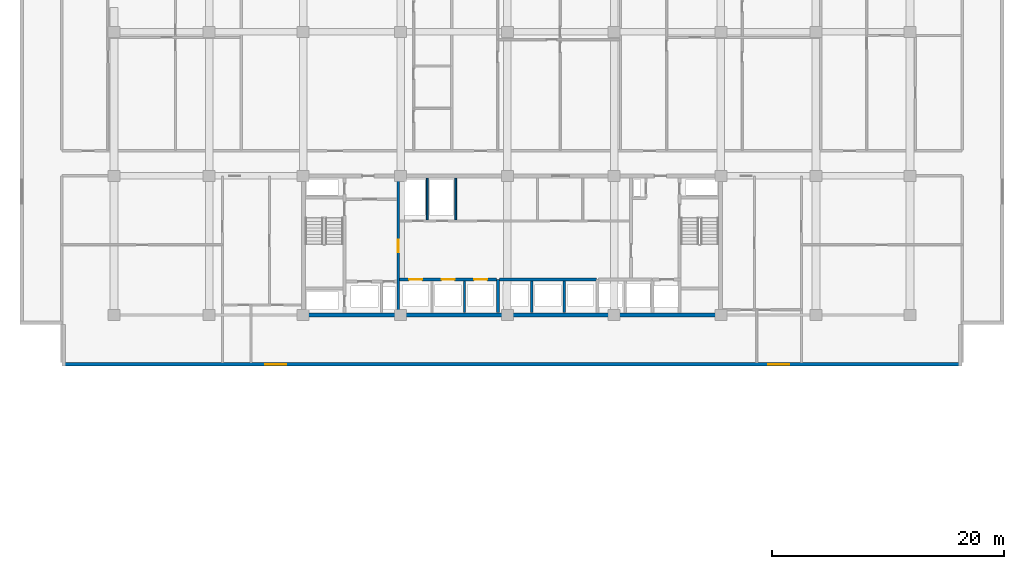
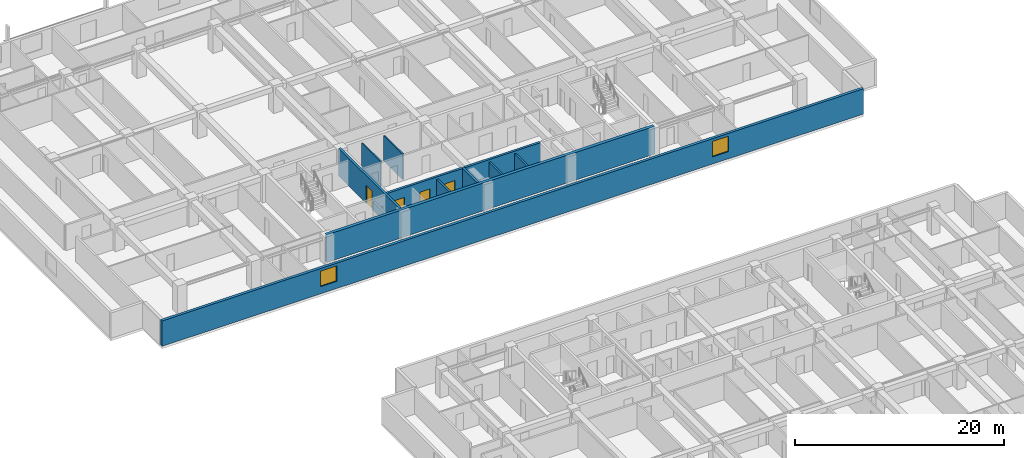
# One storey, part 10 of 23: 11 walls, 4 doors, 2 windows, 6 openings.
"""IFC4 building model written with IfcOpenShell, lengths in metres."""

from ifc_helpers import new_model, si_unit, direction, frame, frame_2d, origin, place, context, subcontext, project, spatial, rectangle, extrude, material, layer, layer_set, type_object, element, fill, save


model = new_model("IFC4")

# Units and contexts
model_context = context("Model", 3, precision=1e-05, world=origin(), true_north=direction((0.0, 1.0)))
body_context = subcontext(model_context, "Body", "Model", "MODEL_VIEW")
ifc_project = project(units=[si_unit("LENGTHUNIT", "METRE"), si_unit("AREAUNIT", "SQUARE_METRE"), si_unit("VOLUMEUNIT", "CUBIC_METRE"), si_unit("PLANEANGLEUNIT", "RADIAN"), si_unit("MASSUNIT", "GRAM", prefix="KILO")], contexts=[model_context])

# Site, building, storey
site_placement = place(None, origin())
site = spatial("IfcSite", under=ifc_project, at=site_placement, CompositionType="ELEMENT")
building_placement = place(site_placement, origin())
building = spatial("IfcBuilding", under=site, at=building_placement, Name="Korimba Cascade Residences", CompositionType="ELEMENT")
storey_placement = place(building_placement, frame((0.0, 0.0, 46.75)))
storey = spatial("IfcBuildingStorey", under=building, at=storey_placement, Name="L12", CompositionType="ELEMENT", Elevation=46.75)

# Wall, openings, windows
ifc_material_1 = material(Name="Precast concrete C40/50", Category="concrete")
ifc_layer_1 = layer(ifc_material_1, 0.300048828125)
ifc_layer_set_1 = layer_set([ifc_layer_1], Name="Precast concrete C40/50")
wall_type_1 = type_object("IfcWallType", Name="EW-STONE-300", PredefinedType="STANDARD", material=ifc_layer_set_1)
wall_1_placement = place(storey_placement, frame((55.300048828125, 50.949951171875, 0.0), z_axis=(0.0, 0.0, 1.0), x_axis=(1.0, 0.0, 0.0)))
wall_1 = element("IfcWall", 1, at=wall_1_placement, inside=storey, type_object=wall_type_1, Name="L12 T1 Perimeter Stone Wall E00", PredefinedType="STANDARD", context=body_context, shape_type="SweptSolid", body=[
    extrude(rectangle(XDim=77.599853515625, YDim=0.300048828125, at=frame_2d((38.7998046875, 0.0))), origin(), (0.0, 0.0, 1.0), 2.969970703125),
])
opening_1_placement = place(wall_1_placement, frame((17.52490234375, 0.0, 0.85009765625)))
opening_1 = element("IfcOpeningElement", 2, at=opening_1_placement, cuts=wall_1, Name="Opening W-02", PredefinedType="OPENING", context=body_context, shape_type="SweptSolid", body=[
    extrude(rectangle(XDim=1.800048828125, YDim=1.800048828125, at=frame_2d((0.89990234375, 0.89990234375))), frame((0.0, 0.16015625, 0.0), z_axis=(0.0, -1.0, 0.0), x_axis=(1.0, 0.0, 0.0)), (0.0, 0.0, 1.0), 0.320068359375),
])
opening_2_placement = place(wall_1_placement, frame((60.875, 0.0, 0.85009765625)))
opening_2 = element("IfcOpeningElement", 3, at=opening_2_placement, cuts=wall_1, Name="Opening W-02", PredefinedType="OPENING", context=body_context, shape_type="SweptSolid", body=[
    extrude(rectangle(XDim=1.800048828125, YDim=1.800048828125, at=frame_2d((0.89990234375, 0.89990234375))), frame((0.0, 0.16015625, 0.0), z_axis=(0.0, -1.0, 0.0), x_axis=(1.0, 0.0, 0.0)), (0.0, 0.0, 1.0), 0.320068359375),
])
ifc_material_2 = material(Name="Double-Glazed Aluminium Window", Category="aluminium")
window_type = type_object("IfcWindowType", Name="WIN-BED-1800", PartitioningType="SINGLE_PANEL", PredefinedType="WINDOW", material=ifc_material_2)
window_1_placement = place(opening_1_placement, origin())
window_1 = element("IfcWindow", 4, at=window_1_placement, inside=storey, type_object=window_type, Name="L12 T1 South Corner Bedroom Window 1", OverallHeight=1.800048828125, OverallWidth=1.800048828125, PartitioningType="SINGLE_PANEL", PredefinedType="WINDOW", context=body_context, shape_type="SweptSolid", body=[
    extrude(rectangle(XDim=1.800048828125, YDim=1.800048828125, at=frame_2d((0.89990234375, 0.89990234375))), frame((0.0, 0.030029296875, 0.0), z_axis=(0.0, -1.0, 0.0), x_axis=(1.0, 0.0, 0.0)), (0.0, 0.0, 1.0), 0.06005859375),
])
fill(opening_1, window_1)
window_2_placement = place(opening_2_placement, origin())
window_2 = element("IfcWindow", 5, at=window_2_placement, inside=storey, type_object=window_type, Name="L12 T1 South Corner Bedroom Window 2", OverallHeight=1.800048828125, OverallWidth=1.800048828125, PartitioningType="SINGLE_PANEL", PredefinedType="WINDOW", context=body_context, shape_type="SweptSolid", body=[
    extrude(rectangle(XDim=1.800048828125, YDim=1.800048828125, at=frame_2d((0.89990234375, 0.89990234375))), frame((0.0, 0.030029296875, 0.0), z_axis=(0.0, -1.0, 0.0), x_axis=(1.0, 0.0, 0.0)), (0.0, 0.0, 1.0), 0.06005859375),
])
fill(opening_2, window_2)

# Walls
ifc_material_3 = material(Name="Concrete C65/80", Category="concrete")
ifc_layer_2 = layer(ifc_material_3, 0.35009765625)
ifc_layer_set_2 = layer_set([ifc_layer_2], Name="Concrete C65/80")
wall_type_2 = type_object("IfcWallType", Name="WAL-CORE-350", PredefinedType="SHEAR", material=ifc_layer_set_2)
wall_2_placement = place(storey_placement, frame((75.949951171875, 55.199951171875, 0.0), z_axis=(0.0, 0.0, 1.0), x_axis=(1.0, 0.0, 0.0)))
element("IfcWall", 6, at=wall_2_placement, inside=storey, type_object=wall_type_2, Name="L12 Core Shear Wall CW-L12-T1-S", PredefinedType="SHEAR", context=body_context, shape_type="SweptSolid", body=[
    extrude(rectangle(XDim=36.300048828125, YDim=0.35009765625, at=frame_2d((18.14990234375, 0.0))), origin(), (0.0, 0.0, 1.0), 3.25),
])
ifc_material_4 = material(Name="Insulated Acoustic Stud Partition", Category="gypsum")
ifc_layer_3 = layer(ifc_material_4, 0.14990234375)
ifc_layer_set_3 = layer_set([ifc_layer_3], Name="Insulated Acoustic Stud Partition")
wall_type_3 = type_object("IfcWallType", Name="WAL-PART-150", PredefinedType="PARTITIONING", material=ifc_layer_set_3)
for number, where, z_axis, x_axis, name in (
    (7, (86.800048828125, 63.39990234375, 0.0), (0.0, 0.0, 1.0), (0.0, 1.0, 0.0), "L12 Partition Wall CW-L12-T1-ERDIV"),
    (8, (89.25, 63.39990234375, 0.0), (0.0, 0.0, 1.0), (0.0, 1.0, 0.0), "L12 Partition Wall CW-L12-T1-PRDIV"),
):
    element("IfcWall", number, at=place(storey_placement, frame(where, z_axis=z_axis, x_axis=x_axis)), inside=storey, type_object=wall_type_3, Name=name, PredefinedType="PARTITIONING", context=body_context, shape_type="SweptSolid", body=[
        extrude(rectangle(XDim=3.60009765625, YDim=0.14990234375, at=frame_2d((1.800048828125, 0.0))), origin(), (0.0, 0.0, 1.0), 2.969970703125),
    ])
ifc_material_5 = material(Name="Concrete C40/50", Category="concrete")
ifc_layer_4 = layer(ifc_material_5, 0.199951171875)
ifc_layer_set_4 = layer_set([ifc_layer_4], Name="Concrete C40/50")
wall_type_4 = type_object("IfcWallType", Name="WAL-PART-200", PredefinedType="PARTITIONING", material=ifc_layer_set_4)
for number, where, z_axis, x_axis, name in (
    (9, (90.0, 55.39990234375, 0.0), (0.0, 0.0, 1.0), (0.0, 1.0, 0.0), "L12 Partition Wall CW-L12-T1-B1D2"),
    (10, (95.800048828125, 55.39990234375, 0.0), (0.0, 0.0, 1.0), (0.0, 1.0, 0.0), "L12 Partition Wall CW-L12-T1-B2D1"),
    (11, (98.60009765625, 55.39990234375, 0.0), (0.0, 0.0, 1.0), (0.0, 1.0, 0.0), "L12 Partition Wall CW-L12-T1-B2D2"),
):
    element("IfcWall", number, at=place(storey_placement, frame(where, z_axis=z_axis, x_axis=x_axis)), inside=storey, type_object=wall_type_4, Name=name, PredefinedType="PARTITIONING", context=body_context, shape_type="SweptSolid", body=[
        extrude(rectangle(XDim=2.72021484375, YDim=0.199951171875, at=frame_2d((1.360107421875, 0.0))), origin(), (0.0, 0.0, 1.0), 2.969970703125),
    ])

# Wall, opening, door
ifc_material_6 = material(Name="Concrete C50/60", Category="concrete")
ifc_layer_5 = layer(ifc_material_6, 0.25)
ifc_layer_set_5 = layer_set([ifc_layer_5], Name="Concrete C50/60")
wall_type_5 = type_object("IfcWallType", Name="WAL-SHAFT-250", PredefinedType="SHEAR", material=ifc_layer_set_5)
wall_3_placement = place(storey_placement, frame((84.300048828125, 55.39990234375, 0.0), z_axis=(0.0, 0.0, 1.0), x_axis=(0.0, 1.0, 0.0)))
wall_3 = element("IfcWall", 12, at=wall_3_placement, inside=storey, type_object=wall_type_5, Name="L12 Core Shear Wall CW-L12-T1-FFLE", PredefinedType="SHEAR", context=body_context, shape_type="SweptSolid", body=[
    extrude(rectangle(XDim=11.60009765625, YDim=0.25, at=frame_2d((5.800048828125, 0.0))), origin(), (0.0, 0.0, 1.0), 3.25),
])
opening_3_placement = place(wall_3_placement, frame((5.199951171875, 0.0, 0.0)))
opening_3 = element("IfcOpeningElement", 13, at=opening_3_placement, cuts=wall_3, Name="Opening D-FD1", PredefinedType="OPENING", context=body_context, shape_type="SweptSolid", body=[
    extrude(rectangle(XDim=1.10009765625, YDim=2.10009765625, at=frame_2d((0.550048828125, 1.050048828125))), frame((0.0, 0.135009765625, 0.0), z_axis=(0.0, -1.0, 0.0), x_axis=(1.0, 0.0, 0.0)), (0.0, 0.0, 1.0), 0.27001953125),
])
ifc_material_7 = material(Name="Fire-Rated Steel Core Door", Category="steel")
door_type_1 = type_object("IfcDoorType", Name="DR-FD120-1100", OperationType="NOTDEFINED", PredefinedType="DOOR", material=ifc_material_7)
door_1_placement = place(opening_3_placement, origin())
door_1 = element("IfcDoor", 14, at=door_1_placement, inside=storey, type_object=door_type_1, Name="L12 Firefighting Lobby to Lift Lobby Door", OperationType="SINGLE_SWING_LEFT", OverallHeight=2.10009765625, OverallWidth=1.10009765625, PredefinedType="DOOR", context=body_context, shape_type="SweptSolid", body=[
    extrude(rectangle(XDim=1.10009765625, YDim=2.10009765625, at=frame_2d((0.550048828125, 1.050048828125))), frame((0.0, 0.02490234375, 0.0), z_axis=(0.0, -1.0, 0.0), x_axis=(1.0, 0.0, 0.0)), (0.0, 0.0, 1.0), 0.050048828125),
])
fill(opening_3, door_1)

# Wall, openings, doors
wall_4_placement = place(storey_placement, frame((84.419921875, 58.25, 0.0), z_axis=(0.0, 0.0, 1.0), x_axis=(1.0, 0.0, 0.0)))
wall_4 = element("IfcWall", 15, at=wall_4_placement, inside=storey, type_object=wall_type_5, Name="L12 Core Shear Wall CW-L12-T1-B1N", PredefinedType="SHEAR", context=body_context, shape_type="SweptSolid", body=[
    extrude(rectangle(XDim=8.360107421875, YDim=0.25, at=frame_2d((4.18017578125, 0.0))), origin(), (0.0, 0.0, 1.0), 3.25),
])
opening_4_placement = place(wall_4_placement, frame((0.820068359375, 0.0, 0.0)))
opening_4 = element("IfcOpeningElement", 16, at=opening_4_placement, cuts=wall_4, Name="Opening LD-01", PredefinedType="OPENING", context=body_context, shape_type="SweptSolid", body=[
    extrude(rectangle(XDim=1.1201171875, YDim=2.1201171875, at=frame_2d((0.56005859375, 1.06005859375))), frame((0.0, 0.135009765625, 0.0), z_axis=(0.0, -1.0, 0.0), x_axis=(1.0, 0.0, 0.0)), (0.0, 0.0, 1.0), 0.27001953125),
])
opening_5_placement = place(wall_4_placement, frame((3.6201171875, 0.0, 0.0)))
opening_5 = element("IfcOpeningElement", 17, at=opening_5_placement, cuts=wall_4, Name="Opening LD-01", PredefinedType="OPENING", context=body_context, shape_type="SweptSolid", body=[
    extrude(rectangle(XDim=1.1201171875, YDim=2.1201171875, at=frame_2d((0.56005859375, 1.06005859375))), frame((0.0, 0.135009765625, 0.0), z_axis=(0.0, -1.0, 0.0), x_axis=(1.0, 0.0, 0.0)), (0.0, 0.0, 1.0), 0.27001953125),
])
opening_6_placement = place(wall_4_placement, frame((6.419921875, 0.0, 0.0)))
opening_6 = element("IfcOpeningElement", 18, at=opening_6_placement, cuts=wall_4, Name="Opening LD-01", PredefinedType="OPENING", context=body_context, shape_type="SweptSolid", body=[
    extrude(rectangle(XDim=1.1201171875, YDim=2.1201171875, at=frame_2d((0.56005859375, 1.06005859375))), frame((0.0, 0.135009765625, 0.0), z_axis=(0.0, -1.0, 0.0), x_axis=(1.0, 0.0, 0.0)), (0.0, 0.0, 1.0), 0.27001953125),
])
ifc_material_8 = material(Name="Stainless Steel Lift Landing Sliding Door", Category="steel")
door_type_2 = type_object("IfcDoorType", Name="DR-LIFT-1100", OperationType="NOTDEFINED", PredefinedType="DOOR", material=ifc_material_8)
door_2_placement = place(opening_4_placement, origin())
door_2 = element("IfcDoor", 19, at=door_2_placement, inside=storey, type_object=door_type_2, Name="L12 Lift Landing Door PL-W1", OperationType="SLIDING_TO_LEFT", OverallHeight=2.1201171875, OverallWidth=1.1201171875, PredefinedType="DOOR", context=body_context, shape_type="SweptSolid", body=[
    extrude(rectangle(XDim=1.1201171875, YDim=2.1201171875, at=frame_2d((0.56005859375, 1.06005859375))), frame((0.0, 0.02490234375, 0.0), z_axis=(0.0, -1.0, 0.0), x_axis=(1.0, 0.0, 0.0)), (0.0, 0.0, 1.0), 0.050048828125),
])
fill(opening_4, door_2)
door_3_placement = place(opening_5_placement, origin())
door_3 = element("IfcDoor", 20, at=door_3_placement, inside=storey, type_object=door_type_2, Name="L12 Lift Landing Door PL-W2", OperationType="SLIDING_TO_LEFT", OverallHeight=2.1201171875, OverallWidth=1.1201171875, PredefinedType="DOOR", context=body_context, shape_type="SweptSolid", body=[
    extrude(rectangle(XDim=1.1201171875, YDim=2.1201171875, at=frame_2d((0.56005859375, 1.06005859375))), frame((0.0, 0.02490234375, 0.0), z_axis=(0.0, -1.0, 0.0), x_axis=(1.0, 0.0, 0.0)), (0.0, 0.0, 1.0), 0.050048828125),
])
fill(opening_5, door_3)
door_4_placement = place(opening_6_placement, origin())
door_4 = element("IfcDoor", 21, at=door_4_placement, inside=storey, type_object=door_type_2, Name="L12 Lift Landing Door PL-W3", OperationType="SLIDING_TO_LEFT", OverallHeight=2.1201171875, OverallWidth=1.1201171875, PredefinedType="DOOR", context=body_context, shape_type="SweptSolid", body=[
    extrude(rectangle(XDim=1.1201171875, YDim=2.1201171875, at=frame_2d((0.56005859375, 1.06005859375))), frame((0.0, 0.02490234375, 0.0), z_axis=(0.0, -1.0, 0.0), x_axis=(1.0, 0.0, 0.0)), (0.0, 0.0, 1.0), 0.050048828125),
])
fill(opening_6, door_4)

# Walls
wall_5_placement = place(storey_placement, frame((92.89990234375, 55.39990234375, 0.0), z_axis=(0.0, 0.0, 1.0), x_axis=(0.0, 1.0, 0.0)))
element("IfcWall", 22, at=wall_5_placement, inside=storey, type_object=wall_type_5, Name="L12 Core Shear Wall CW-L12-T1-B12DIV", PredefinedType="SHEAR", context=body_context, shape_type="SweptSolid", body=[
    extrude(rectangle(XDim=2.85009765625, YDim=0.25, at=frame_2d((1.425048828125, 0.0))), origin(), (0.0, 0.0, 1.0), 3.25),
])
wall_6_placement = place(storey_placement, frame((93.02001953125, 58.25, 0.0), z_axis=(0.0, 0.0, 1.0), x_axis=(1.0, 0.0, 0.0)))
element("IfcWall", 23, at=wall_6_placement, inside=storey, type_object=wall_type_5, Name="L12 Core Shear Wall CW-L12-T1-B2N", PredefinedType="SHEAR", context=body_context, shape_type="SweptSolid", body=[
    extrude(rectangle(XDim=8.35986328125, YDim=0.25, at=frame_2d((4.179931640625, 0.0))), origin(), (0.0, 0.0, 1.0), 3.25),
])

save(model, "model.ifc")
